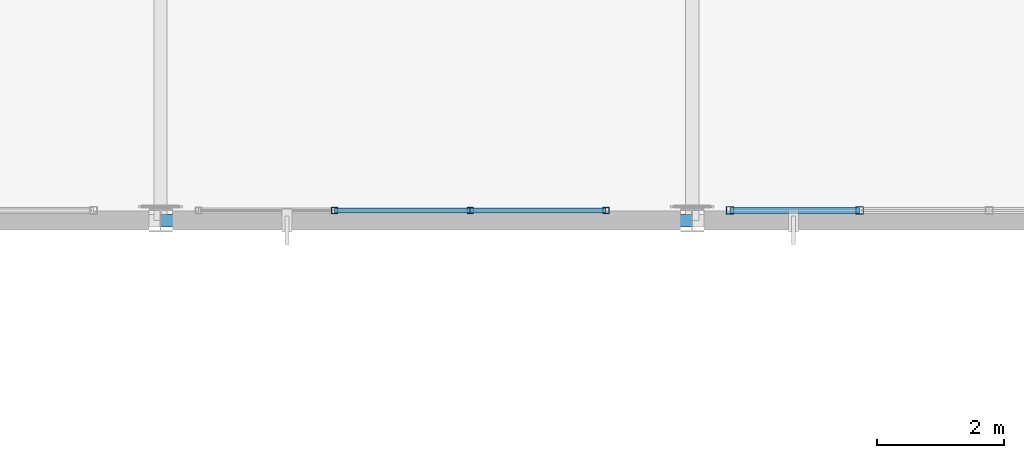
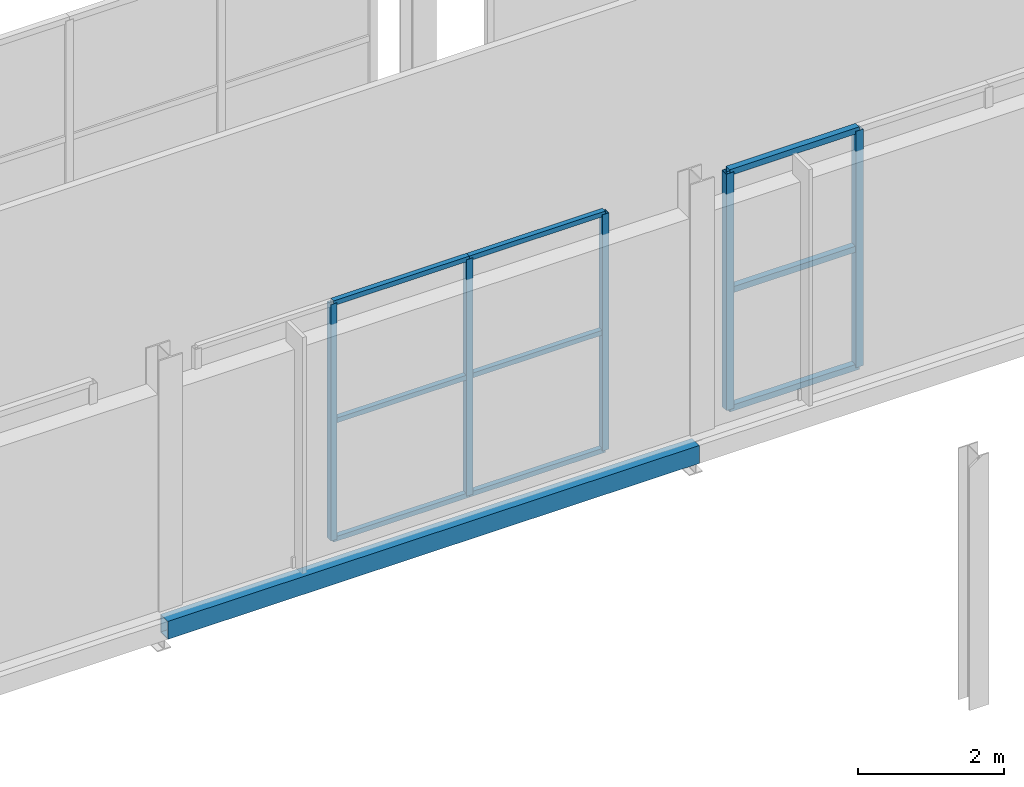
# One storey, part 135 of 217: 14 members, 1 beam, 2 elements without a shape of their own.
"""IFC4 building model written with IfcOpenShell, lengths in metres."""

from ifc_helpers import new_model, si_unit, direction, frame, origin, origin_2d, place, context, subcontext, project, spatial, hollow_rectangle, extrude, material, material_profile, profile_set, type_object, element, aggregate, save


model = new_model("IFC4")

# Units and contexts
model_context = context("Model", 3, precision=1e-05, world=origin(), true_north=direction((0.0, 1.0)))
body_context = subcontext(model_context, "Body", "Model", "MODEL_VIEW")
ifc_project = project(units=[si_unit("LENGTHUNIT", "METRE"), si_unit("AREAUNIT", "SQUARE_METRE"), si_unit("VOLUMEUNIT", "CUBIC_METRE"), si_unit("PLANEANGLEUNIT", "RADIAN"), si_unit("MASSUNIT", "GRAM", prefix="KILO")], contexts=[model_context])

# Site, building, storey
site_placement = place(None, origin())
site = spatial("IfcSite", under=ifc_project, at=site_placement, CompositionType="ELEMENT")
building_placement = place(site_placement, origin())
building = spatial("IfcBuilding", under=site, at=building_placement, Name="Zuvorla Pavilion Media Centre", CompositionType="ELEMENT")
storey_placement = place(building_placement, frame((0.0, 0.0, 9.60009765625)))
storey = spatial("IfcBuildingStorey", under=building, at=storey_placement, Name="L02", CompositionType="ELEMENT", Elevation=9.60009765625)

# Beam
ifc_material_1 = material(Name="Steel S355", Category="steel")
ifc_material_profile_1 = material_profile(ifc_material_1, hollow_rectangle(XDim=0.199951171875, YDim=0.300048828125, WallThickness=0.012451171875, at=origin_2d()), Name="RHS 300x200x12.5")
ifc_profile_set_1 = profile_set([ifc_material_profile_1], Name="Steel S355")
beam_type = type_object("IfcBeamType", Name="BM-SP-RHS300", PredefinedType="SPANDREL", material=ifc_profile_set_1)
beam_placement = place(storey_placement, frame((134.0, 44.0, -0.418212890625), z_axis=(1.0, 0.0, 0.0), x_axis=(0.0, 1.0, 0.0)))
element("IfcBeam", 1, at=beam_placement, inside=storey, type_object=beam_type, Name="L02 spandrel SP01 832", PredefinedType="SPANDREL", context=body_context, shape_type="SweptSolid", body=[
    extrude(hollow_rectangle(XDim=0.199951171875, YDim=0.300048828125, WallThickness=0.012451171875, at=origin_2d()), origin(), (0.0, 0.0, 1.0), 8.39990234375),
])

# Curtain wall, members
ifc_material_2 = material(Name="Unitised anodised aluminium and solar glass curtain wall", Category="aluminium")
curtain_wall_type_1 = type_object("IfcCurtainWallType", Name="CW-SYS-13", PredefinedType="USERDEFINED", material=ifc_material_2)
curtain_wall_1_placement = place(storey_placement, origin())
curtain_wall_1 = element("IfcCurtainWall", 2, at=curtain_wall_1_placement, inside=storey, type_object=curtain_wall_type_1, Name="L02 curtain wall CW13 46", ObjectType="CURTAIN WALL", PredefinedType="USERDEFINED")
ifc_material_3 = material(Name="Anodised aluminium 6063-T6", Category="aluminium")
ifc_material_profile_2 = material_profile(ifc_material_3, hollow_rectangle(XDim=0.10009765625, YDim=0.10009765625, WallThickness=0.00439453125, at=origin_2d()), Name="ALU MULL 100x100")
ifc_profile_set_2 = profile_set([ifc_material_profile_2], Name="Anodised aluminium 6063-T6")
member_type_1 = type_object("IfcMemberType", Name="CW-MULL-100", PredefinedType="MULLION", material=ifc_profile_set_2)
member_1_placement = place(storey_placement, frame((136.746826171875, 44.159912109375, 0.0), z_axis=(0.0, 0.0, 1.0), x_axis=(1.0, 0.0, 0.0)))
member_1 = element("IfcMember", 3, at=member_1_placement, type_object=member_type_1, Name="CW13 mullion 2", PredefinedType="MULLION", context=body_context, shape_type="SweptSolid", body=[
    extrude(hollow_rectangle(XDim=0.10009765625, YDim=0.10009765625, WallThickness=0.00439453125, at=origin_2d()), origin(), (0.0, 0.0, 1.0), 3.949951171875),
])
member_2_placement = place(storey_placement, frame((138.893310546875, 44.159912109375, 0.0), z_axis=(0.0, 0.0, 1.0), x_axis=(1.0, 0.0, 0.0)))
member_2 = element("IfcMember", 4, at=member_2_placement, type_object=member_type_1, Name="CW13 mullion 3", PredefinedType="MULLION", context=body_context, shape_type="SweptSolid", body=[
    extrude(hollow_rectangle(XDim=0.10009765625, YDim=0.10009765625, WallThickness=0.00439453125, at=origin_2d()), origin(), (0.0, 0.0, 1.0), 3.949951171875),
])
member_3_placement = place(storey_placement, frame((141.0400390625, 44.159912109375, 0.0), z_axis=(0.0, 0.0, 1.0), x_axis=(1.0, 0.0, 0.0)))
member_3 = element("IfcMember", 5, at=member_3_placement, type_object=member_type_1, Name="CW13 mullion 4", PredefinedType="MULLION", context=body_context, shape_type="SweptSolid", body=[
    extrude(hollow_rectangle(XDim=0.10009765625, YDim=0.10009765625, WallThickness=0.00439453125, at=origin_2d()), origin(), (0.0, 0.0, 1.0), 3.949951171875),
])

curtain_wall_type_2 = type_object("IfcCurtainWallType", Name="CW-SYS-11", PredefinedType="USERDEFINED", material=ifc_material_2)
curtain_wall_2_placement = place(storey_placement, origin())
curtain_wall_2 = element("IfcCurtainWall", 6, at=curtain_wall_2_placement, inside=storey, type_object=curtain_wall_type_2, Name="L02 curtain wall CW11 47", ObjectType="CURTAIN WALL", PredefinedType="USERDEFINED")
ifc_material_profile_3 = material_profile(ifc_material_3, hollow_rectangle(XDim=0.1201171875, YDim=0.1201171875, WallThickness=0.0048828125, at=origin_2d()), Name="ALU MULL 120x120")
ifc_profile_set_3 = profile_set([ifc_material_profile_3], Name="Anodised aluminium 6063-T6")
member_type_2 = type_object("IfcMemberType", Name="CW-MULL-120", PredefinedType="MULLION", material=ifc_profile_set_3)
member_4_placement = place(storey_placement, frame((143.000244140625, 44.159912109375, 0.0), z_axis=(0.0, 0.0, 1.0), x_axis=(1.0, 0.0, 0.0)))
member_4 = element("IfcMember", 7, at=member_4_placement, type_object=member_type_2, Name="CW11 mullion 1", PredefinedType="MULLION", context=body_context, shape_type="SweptSolid", body=[
    extrude(hollow_rectangle(XDim=0.1201171875, YDim=0.1201171875, WallThickness=0.0048828125, at=origin_2d()), origin(), (0.0, 0.0, 1.0), 3.949951171875),
])
member_5_placement = place(storey_placement, frame((145.046875, 44.159912109375, 0.0), z_axis=(0.0, 0.0, 1.0), x_axis=(1.0, 0.0, 0.0)))
member_5 = element("IfcMember", 8, at=member_5_placement, type_object=member_type_2, Name="CW11 mullion 2", PredefinedType="MULLION", context=body_context, shape_type="SweptSolid", body=[
    extrude(hollow_rectangle(XDim=0.1201171875, YDim=0.1201171875, WallThickness=0.0048828125, at=origin_2d()), origin(), (0.0, 0.0, 1.0), 3.949951171875),
])
ifc_material_profile_4 = material_profile(ifc_material_3, hollow_rectangle(XDim=0.10009765625, YDim=0.10009765625, WallThickness=0.00439453125, at=origin_2d()), Name="ALU TRAN 100x100")
ifc_profile_set_4 = profile_set([ifc_material_profile_4], Name="Anodised aluminium 6063-T6")
member_type_3 = type_object("IfcMemberType", Name="CW-TRAN-100", PredefinedType="USERDEFINED", material=ifc_profile_set_4)
member_6_placement = place(storey_placement, frame((143.000244140625, 44.159912109375, 0.0), z_axis=(1.0, 0.0, 0.0), x_axis=(0.0, 1.0, 0.0)))
member_6 = element("IfcMember", 9, at=member_6_placement, type_object=member_type_3, Name="CW11 transom 1.1", ObjectType="TRANSOM", PredefinedType="USERDEFINED", context=body_context, shape_type="SweptSolid", body=[
    extrude(hollow_rectangle(XDim=0.10009765625, YDim=0.10009765625, WallThickness=0.00439453125, at=origin_2d()), origin(), (0.0, 0.0, 1.0), 2.046630859375),
])
member_7_placement = place(storey_placement, frame((143.000244140625, 44.159912109375, 1.974853515625), z_axis=(1.0, 0.0, 0.0), x_axis=(0.0, 1.0, 0.0)))
member_7 = element("IfcMember", 10, at=member_7_placement, type_object=member_type_3, Name="CW11 transom 1.2", ObjectType="TRANSOM", PredefinedType="USERDEFINED", context=body_context, shape_type="SweptSolid", body=[
    extrude(hollow_rectangle(XDim=0.10009765625, YDim=0.10009765625, WallThickness=0.00439453125, at=origin_2d()), origin(), (0.0, 0.0, 1.0), 2.046630859375),
])
member_8_placement = place(storey_placement, frame((143.000244140625, 44.159912109375, 3.949951171875), z_axis=(1.0, 0.0, 0.0), x_axis=(0.0, 1.0, 0.0)))
member_8 = element("IfcMember", 11, at=member_8_placement, type_object=member_type_3, Name="CW11 transom 1.3", ObjectType="TRANSOM", PredefinedType="USERDEFINED", context=body_context, shape_type="SweptSolid", body=[
    extrude(hollow_rectangle(XDim=0.10009765625, YDim=0.10009765625, WallThickness=0.00439453125, at=origin_2d()), origin(), (0.0, 0.0, 1.0), 2.046630859375),
])
aggregate(curtain_wall_2, [member_4, member_5, member_6, member_7, member_8])

# Member
ifc_material_profile_5 = material_profile(ifc_material_3, hollow_rectangle(XDim=0.080078125, YDim=0.080078125, WallThickness=0.00390625, at=origin_2d()), Name="ALU TRAN 80x80")
ifc_profile_set_5 = profile_set([ifc_material_profile_5], Name="Anodised aluminium 6063-T6")
member_type_4 = type_object("IfcMemberType", Name="CW-TRAN-80", PredefinedType="USERDEFINED", material=ifc_profile_set_5)
member_9_placement = place(storey_placement, frame((136.746826171875, 44.159912109375, 0.0), z_axis=(1.0, 0.0, 0.0), x_axis=(0.0, 1.0, 0.0)))
member_9 = element("IfcMember", 12, at=member_9_placement, type_object=member_type_4, Name="CW13 transom 2.1", ObjectType="TRANSOM", PredefinedType="USERDEFINED", context=body_context, shape_type="SweptSolid", body=[
    extrude(hollow_rectangle(XDim=0.080078125, YDim=0.080078125, WallThickness=0.00390625, at=origin_2d()), origin(), (0.0, 0.0, 1.0), 2.146484375),
])

member_10_placement = place(storey_placement, frame((136.746826171875, 44.159912109375, 1.974853515625), z_axis=(1.0, 0.0, 0.0), x_axis=(0.0, 1.0, 0.0)))
member_10 = element("IfcMember", 13, at=member_10_placement, type_object=member_type_4, Name="CW13 transom 2.2", ObjectType="TRANSOM", PredefinedType="USERDEFINED", context=body_context, shape_type="SweptSolid", body=[
    extrude(hollow_rectangle(XDim=0.080078125, YDim=0.080078125, WallThickness=0.00390625, at=origin_2d()), origin(), (0.0, 0.0, 1.0), 2.146484375),
])

member_11_placement = place(storey_placement, frame((136.746826171875, 44.159912109375, 3.949951171875), z_axis=(1.0, 0.0, 0.0), x_axis=(0.0, 1.0, 0.0)))
member_11 = element("IfcMember", 14, at=member_11_placement, type_object=member_type_4, Name="CW13 transom 2.3", ObjectType="TRANSOM", PredefinedType="USERDEFINED", context=body_context, shape_type="SweptSolid", body=[
    extrude(hollow_rectangle(XDim=0.080078125, YDim=0.080078125, WallThickness=0.00390625, at=origin_2d()), origin(), (0.0, 0.0, 1.0), 2.146484375),
])

member_12_placement = place(storey_placement, frame((138.893310546875, 44.159912109375, 0.0), z_axis=(1.0, 0.0, 0.0), x_axis=(0.0, 1.0, 0.0)))
member_12 = element("IfcMember", 15, at=member_12_placement, type_object=member_type_4, Name="CW13 transom 3.1", ObjectType="TRANSOM", PredefinedType="USERDEFINED", context=body_context, shape_type="SweptSolid", body=[
    extrude(hollow_rectangle(XDim=0.080078125, YDim=0.080078125, WallThickness=0.00390625, at=origin_2d()), origin(), (0.0, 0.0, 1.0), 2.146728515625),
])

member_13_placement = place(storey_placement, frame((138.893310546875, 44.159912109375, 1.974853515625), z_axis=(1.0, 0.0, 0.0), x_axis=(0.0, 1.0, 0.0)))
member_13 = element("IfcMember", 16, at=member_13_placement, type_object=member_type_4, Name="CW13 transom 3.2", ObjectType="TRANSOM", PredefinedType="USERDEFINED", context=body_context, shape_type="SweptSolid", body=[
    extrude(hollow_rectangle(XDim=0.080078125, YDim=0.080078125, WallThickness=0.00390625, at=origin_2d()), origin(), (0.0, 0.0, 1.0), 2.146728515625),
])

member_14_placement = place(storey_placement, frame((138.893310546875, 44.159912109375, 3.949951171875), z_axis=(1.0, 0.0, 0.0), x_axis=(0.0, 1.0, 0.0)))
member_14 = element("IfcMember", 17, at=member_14_placement, type_object=member_type_4, Name="CW13 transom 3.3", ObjectType="TRANSOM", PredefinedType="USERDEFINED", context=body_context, shape_type="SweptSolid", body=[
    extrude(hollow_rectangle(XDim=0.080078125, YDim=0.080078125, WallThickness=0.00390625, at=origin_2d()), origin(), (0.0, 0.0, 1.0), 2.146728515625),
])

aggregate(curtain_wall_1, [member_1, member_2, member_3, member_9, member_10, member_11, member_12, member_13, member_14])

save(model, "model.ifc")
